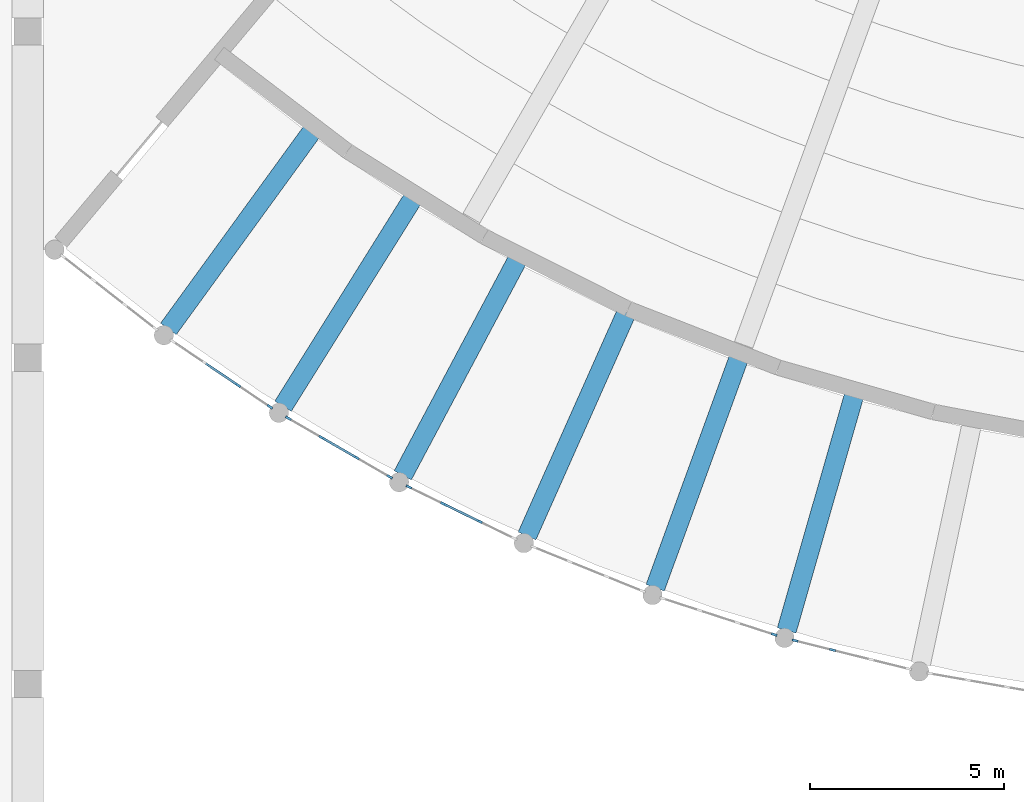
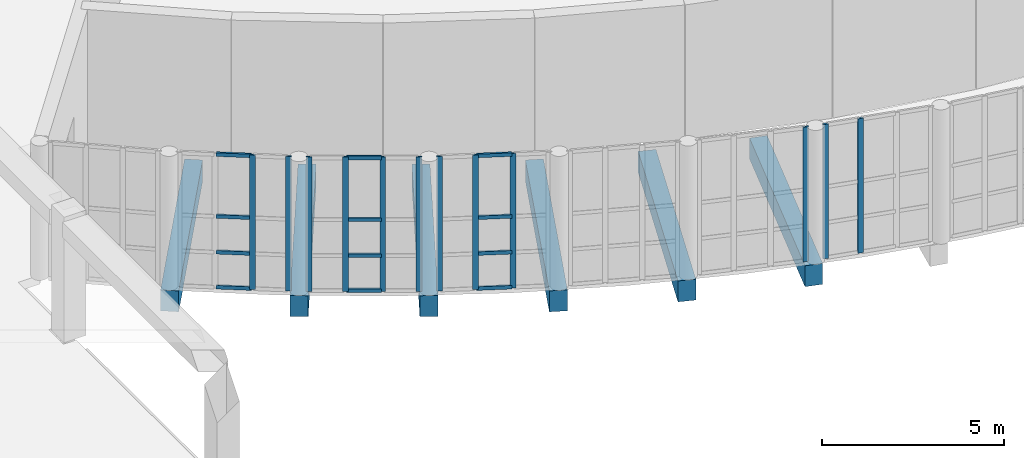
# One storey, part 39 of 162: 24 members, 6 beams, 5 elements without a shape of their own.
"""IFC4 building model written with IfcOpenShell, lengths in metres."""

from ifc_helpers import new_model, si_unit, direction, frame, origin, origin_2d, place, context, subcontext, project, spatial, rectangle, extrude, material, layer, layer_set, material_profile, profile_set, type_object, element, aggregate, save


model = new_model("IFC4")

# Units and contexts
model_context = context("Model", 3, precision=1e-05, world=origin(), true_north=direction((0.0, 1.0)))
body_context = subcontext(model_context, "Body", "Model", "MODEL_VIEW")
ifc_project = project(units=[si_unit("LENGTHUNIT", "METRE"), si_unit("AREAUNIT", "SQUARE_METRE"), si_unit("VOLUMEUNIT", "CUBIC_METRE"), si_unit("PLANEANGLEUNIT", "RADIAN"), si_unit("MASSUNIT", "GRAM", prefix="KILO")], contexts=[model_context])

# Site, building, storey
site_placement = place(None, origin())
site = spatial("IfcSite", under=ifc_project, at=site_placement, CompositionType="ELEMENT")
building_placement = place(site_placement, origin())
building = spatial("IfcBuilding", under=site, at=building_placement, Name="Rain Tree Exposition and Congress Centre", CompositionType="ELEMENT")
storey_placement = place(building_placement, frame((0.0, 0.0, 6.0)))
storey = spatial("IfcBuildingStorey", under=building, at=storey_placement, Name="L01", CompositionType="ELEMENT", Elevation=6.0)

# Curtain wall, members
ifc_material_1 = material(Name="Aluminium", Category="aluminium")
ifc_layer = layer(ifc_material_1, 0.10009765625)
ifc_layer_set = layer_set([ifc_layer], Name="Aluminium")
curtain_wall_type = type_object("IfcCurtainWallType", Name="Curtain wall congress", PredefinedType="NOTDEFINED", material=ifc_layer_set)
curtain_wall_1_placement = place(storey_placement, origin())
curtain_wall_1 = element("IfcCurtainWall", 1, at=curtain_wall_1_placement, inside=storey, type_object=curtain_wall_type, Name="Curtain wall L01 bay 2", PredefinedType="NOTDEFINED")
ifc_material_2 = material(Name="Aluminium", Category="aluminium")
ifc_material_profile_1 = material_profile(ifc_material_2, rectangle(XDim=0.06005859375, YDim=0.159912109375, at=origin_2d()), Name="AL 60x160")
ifc_profile_set_1 = profile_set([ifc_material_profile_1], Name="Aluminium")
member_type_1 = type_object("IfcMemberType", Name="Curtain wall mullion 60x160 congress", PredefinedType="MULLION", material=ifc_profile_set_1)
member_1_placement = place(storey_placement, frame((173.41162109375, 24.49267578125, 0.0), z_axis=(0.0, 0.0, 1.0), x_axis=(0.559196793659, 0.829034948577, 0.0)))
member_1 = element("IfcMember", 2, at=member_1_placement, type_object=member_type_1, Name="CWG202 mullion 3", PredefinedType="MULLION", context=body_context, shape_type="SweptSolid", body=[
    extrude(rectangle(XDim=0.06005859375, YDim=0.159912109375, at=origin_2d()), origin(), (0.0, 0.0, 1.0), 4.5),
])
member_2_placement = place(storey_placement, frame((174.236083984375, 23.9365234375, 0.0), z_axis=(0.0, 0.0, 1.0), x_axis=(0.559196793659, 0.829034948577, 0.0)))
member_2 = element("IfcMember", 3, at=member_2_placement, type_object=member_type_1, Name="CWG202 mullion 4", PredefinedType="MULLION", context=body_context, shape_type="SweptSolid", body=[
    extrude(rectangle(XDim=0.06005859375, YDim=0.159912109375, at=origin_2d()), origin(), (0.0, 0.0, 1.0), 4.5),
])

curtain_wall_2_placement = place(storey_placement, origin())
curtain_wall_2 = element("IfcCurtainWall", 4, at=curtain_wall_2_placement, inside=storey, type_object=curtain_wall_type, Name="Curtain wall L01 bay 3", PredefinedType="NOTDEFINED")
member_3_placement = place(storey_placement, frame((174.710693359375, 23.639892578125, 0.0), z_axis=(0.0, 0.0, 1.0), x_axis=(0.499988121275, 0.866032261861, 0.0)))
member_3 = element("IfcMember", 5, at=member_3_placement, type_object=member_type_1, Name="CWG203 mullion 1", PredefinedType="MULLION", context=body_context, shape_type="SweptSolid", body=[
    extrude(rectangle(XDim=0.06005859375, YDim=0.159912109375, at=origin_2d()), origin(), (0.0, 0.0, 1.0), 4.5),
])
member_4_placement = place(storey_placement, frame((175.572021484375, 23.142578125, 0.0), z_axis=(0.0, 0.0, 1.0), x_axis=(0.499988121275, 0.866032261861, 0.0)))
member_4 = element("IfcMember", 6, at=member_4_placement, type_object=member_type_1, Name="CWG203 mullion 2", PredefinedType="MULLION", context=body_context, shape_type="SweptSolid", body=[
    extrude(rectangle(XDim=0.06005859375, YDim=0.159912109375, at=origin_2d()), origin(), (0.0, 0.0, 1.0), 4.5),
])
member_5_placement = place(storey_placement, frame((176.459228515625, 22.63037109375, 0.0), z_axis=(0.0, 0.0, 1.0), x_axis=(0.499988121275, 0.866032261861, 0.0)))
member_5 = element("IfcMember", 7, at=member_5_placement, type_object=member_type_1, Name="CWG203 mullion 3", PredefinedType="MULLION", context=body_context, shape_type="SweptSolid", body=[
    extrude(rectangle(XDim=0.06005859375, YDim=0.159912109375, at=origin_2d()), origin(), (0.0, 0.0, 1.0), 4.5),
])
member_6_placement = place(storey_placement, frame((177.320556640625, 22.133056640625, 0.0), z_axis=(0.0, 0.0, 1.0), x_axis=(0.499988121275, 0.866032261861, 0.0)))
member_6 = element("IfcMember", 8, at=member_6_placement, type_object=member_type_1, Name="CWG203 mullion 4", PredefinedType="MULLION", context=body_context, shape_type="SweptSolid", body=[
    extrude(rectangle(XDim=0.06005859375, YDim=0.159912109375, at=origin_2d()), origin(), (0.0, 0.0, 1.0), 4.5),
])

curtain_wall_3_placement = place(storey_placement, origin())
curtain_wall_3 = element("IfcCurtainWall", 9, at=curtain_wall_3_placement, inside=storey, type_object=curtain_wall_type, Name="Curtain wall L01 bay 4", PredefinedType="NOTDEFINED")
member_7_placement = place(storey_placement, frame((177.814697265625, 21.870361328125, 0.0), z_axis=(0.0, 0.0, 1.0), x_axis=(0.438368505628, 0.898795334475, 0.0)))
member_7 = element("IfcMember", 10, at=member_7_placement, type_object=member_type_1, Name="CWG204 mullion 1", PredefinedType="MULLION", context=body_context, shape_type="SweptSolid", body=[
    extrude(rectangle(XDim=0.06005859375, YDim=0.159912109375, at=origin_2d()), origin(), (0.0, 0.0, 1.0), 4.5),
])
member_8_placement = place(storey_placement, frame((178.708740234375, 21.434326171875, 0.0), z_axis=(0.0, 0.0, 1.0), x_axis=(0.438368505628, 0.898795334475, 0.0)))
member_8 = element("IfcMember", 11, at=member_8_placement, type_object=member_type_1, Name="CWG204 mullion 2", PredefinedType="MULLION", context=body_context, shape_type="SweptSolid", body=[
    extrude(rectangle(XDim=0.06005859375, YDim=0.159912109375, at=origin_2d()), origin(), (0.0, 0.0, 1.0), 4.5),
])
member_9_placement = place(storey_placement, frame((179.629638671875, 20.9853515625, 0.0), z_axis=(0.0, 0.0, 1.0), x_axis=(0.438368505628, 0.898795334475, 0.0)))
member_9 = element("IfcMember", 12, at=member_9_placement, type_object=member_type_1, Name="CWG204 mullion 3", PredefinedType="MULLION", context=body_context, shape_type="SweptSolid", body=[
    extrude(rectangle(XDim=0.06005859375, YDim=0.159912109375, at=origin_2d()), origin(), (0.0, 0.0, 1.0), 4.5),
])

# Curtain wall, member
curtain_wall_4_placement = place(storey_placement, origin())
curtain_wall_4 = element("IfcCurtainWall", 13, at=curtain_wall_4_placement, inside=storey, type_object=curtain_wall_type, Name="Curtain wall L01 bay 6", PredefinedType="NOTDEFINED")
member_10_placement = place(storey_placement, frame((187.220947265625, 18.070068359375, 0.0), z_axis=(0.0, 0.0, 1.0), x_axis=(0.309005886225, 0.95106012548, 0.0)))
member_10 = element("IfcMember", 14, at=member_10_placement, type_object=member_type_1, Name="CWG206 mullion 4", PredefinedType="MULLION", context=body_context, shape_type="SweptSolid", body=[
    extrude(rectangle(XDim=0.06005859375, YDim=0.159912109375, at=origin_2d()), origin(), (0.0, 0.0, 1.0), 4.5),
])
aggregate(curtain_wall_4, [member_10])

# Curtain wall, members
curtain_wall_5_placement = place(storey_placement, origin())
curtain_wall_5 = element("IfcCurtainWall", 15, at=curtain_wall_5_placement, inside=storey, type_object=curtain_wall_type, Name="Curtain wall L01 bay 7", PredefinedType="NOTDEFINED")
member_11_placement = place(storey_placement, frame((187.759033203125, 17.91552734375, 0.0), z_axis=(0.0, 0.0, 1.0), x_axis=(0.241923171133, 0.970295408249, 0.0)))
member_11 = element("IfcMember", 16, at=member_11_placement, type_object=member_type_1, Name="CWG207 mullion 1", PredefinedType="MULLION", context=body_context, shape_type="SweptSolid", body=[
    extrude(rectangle(XDim=0.06005859375, YDim=0.159912109375, at=origin_2d()), origin(), (0.0, 0.0, 1.0), 4.5),
])
member_12_placement = place(storey_placement, frame((188.72412109375, 17.675048828125, 0.0), z_axis=(0.0, 0.0, 1.0), x_axis=(0.241923171133, 0.970295408249, 0.0)))
member_12 = element("IfcMember", 17, at=member_12_placement, type_object=member_type_1, Name="CWG207 mullion 2", PredefinedType="MULLION", context=body_context, shape_type="SweptSolid", body=[
    extrude(rectangle(XDim=0.06005859375, YDim=0.159912109375, at=origin_2d()), origin(), (0.0, 0.0, 1.0), 4.5),
])
aggregate(curtain_wall_5, [member_11, member_12])

# Member
ifc_material_3 = material(Name="Aluminium", Category="aluminium")
ifc_material_profile_2 = material_profile(ifc_material_3, rectangle(XDim=0.06005859375, YDim=0.1201171875, at=origin_2d()), Name="AL 60x120")
ifc_profile_set_2 = profile_set([ifc_material_profile_2], Name="Aluminium")
member_type_2 = type_object("IfcMemberType", Name="Curtain wall transom 60x120 congress", PredefinedType="USERDEFINED", material=ifc_profile_set_2)
member_13_placement = place(storey_placement, frame((172.5869140625, 25.048828125, 0.030029296875), z_axis=(0.829118509883, -0.559072890211, 0.0), x_axis=(0.559072890211, 0.829118509883, 0.0)))
member_13 = element("IfcMember", 18, at=member_13_placement, type_object=member_type_2, Name="CWG202 transom 2.1", ObjectType="TRANSOM", PredefinedType="USERDEFINED", context=body_context, shape_type="SweptSolid", body=[
    extrude(rectangle(XDim=0.06005859375, YDim=0.1201171875, at=origin_2d()), origin(), (0.0, 0.0, 1.0), 0.964599609375),
])

member_14_placement = place(storey_placement, frame((172.5869140625, 25.048828125, 1.199951171875), z_axis=(0.829118509883, -0.559072890211, 0.0), x_axis=(0.559072890211, 0.829118509883, 0.0)))
member_14 = element("IfcMember", 19, at=member_14_placement, type_object=member_type_2, Name="CWG202 transom 2.2", ObjectType="TRANSOM", PredefinedType="USERDEFINED", context=body_context, shape_type="SweptSolid", body=[
    extrude(rectangle(XDim=0.06005859375, YDim=0.1201171875, at=origin_2d()), origin(), (0.0, 0.0, 1.0), 0.964599609375),
])

member_15_placement = place(storey_placement, frame((172.5869140625, 25.048828125, 2.39990234375), z_axis=(0.829118509883, -0.559072890211, 0.0), x_axis=(0.559072890211, 0.829118509883, 0.0)))
member_15 = element("IfcMember", 20, at=member_15_placement, type_object=member_type_2, Name="CWG202 transom 2.3", ObjectType="TRANSOM", PredefinedType="USERDEFINED", context=body_context, shape_type="SweptSolid", body=[
    extrude(rectangle(XDim=0.06005859375, YDim=0.1201171875, at=origin_2d()), origin(), (0.0, 0.0, 1.0), 0.964599609375),
])

member_16_placement = place(storey_placement, frame((172.5869140625, 25.048828125, 4.469970703125), z_axis=(0.829118509883, -0.559072890211, 0.0), x_axis=(0.559072890211, 0.829118509883, 0.0)))
member_16 = element("IfcMember", 21, at=member_16_placement, type_object=member_type_2, Name="CWG202 transom 2.4", ObjectType="TRANSOM", PredefinedType="USERDEFINED", context=body_context, shape_type="SweptSolid", body=[
    extrude(rectangle(XDim=0.06005859375, YDim=0.1201171875, at=origin_2d()), origin(), (0.0, 0.0, 1.0), 0.964599609375),
])

aggregate(curtain_wall_1, [member_1, member_2, member_13, member_14, member_15, member_16])

member_17_placement = place(storey_placement, frame((175.597900390625, 23.127685546875, 0.030029296875), z_axis=(0.865928416946, -0.500167948519, 0.0), x_axis=(0.500167948519, 0.865928416946, 0.0)))
member_17 = element("IfcMember", 22, at=member_17_placement, type_object=member_type_2, Name="CWG203 transom 2.1", ObjectType="TRANSOM", PredefinedType="USERDEFINED", context=body_context, shape_type="SweptSolid", body=[
    extrude(rectangle(XDim=0.06005859375, YDim=0.1201171875, at=origin_2d()), origin(), (0.0, 0.0, 1.0), 0.964599609375),
])

member_18_placement = place(storey_placement, frame((175.597900390625, 23.127685546875, 1.199951171875), z_axis=(0.865928416946, -0.500167948519, 0.0), x_axis=(0.500167948519, 0.865928416946, 0.0)))
member_18 = element("IfcMember", 23, at=member_18_placement, type_object=member_type_2, Name="CWG203 transom 2.2", ObjectType="TRANSOM", PredefinedType="USERDEFINED", context=body_context, shape_type="SweptSolid", body=[
    extrude(rectangle(XDim=0.06005859375, YDim=0.1201171875, at=origin_2d()), origin(), (0.0, 0.0, 1.0), 0.964599609375),
])

member_19_placement = place(storey_placement, frame((175.597900390625, 23.127685546875, 2.39990234375), z_axis=(0.865928416946, -0.500167948519, 0.0), x_axis=(0.500167948519, 0.865928416946, 0.0)))
member_19 = element("IfcMember", 24, at=member_19_placement, type_object=member_type_2, Name="CWG203 transom 2.3", ObjectType="TRANSOM", PredefinedType="USERDEFINED", context=body_context, shape_type="SweptSolid", body=[
    extrude(rectangle(XDim=0.06005859375, YDim=0.1201171875, at=origin_2d()), origin(), (0.0, 0.0, 1.0), 0.964599609375),
])

member_20_placement = place(storey_placement, frame((175.597900390625, 23.127685546875, 4.469970703125), z_axis=(0.865928416946, -0.500167948519, 0.0), x_axis=(0.500167948519, 0.865928416946, 0.0)))
member_20 = element("IfcMember", 25, at=member_20_placement, type_object=member_type_2, Name="CWG203 transom 2.4", ObjectType="TRANSOM", PredefinedType="USERDEFINED", context=body_context, shape_type="SweptSolid", body=[
    extrude(rectangle(XDim=0.06005859375, YDim=0.1201171875, at=origin_2d()), origin(), (0.0, 0.0, 1.0), 0.964599609375),
])

aggregate(curtain_wall_2, [member_3, member_4, member_5, member_6, member_17, member_18, member_19, member_20])

member_21_placement = place(storey_placement, frame((178.735595703125, 21.421142578125, 0.030029296875), z_axis=(0.898787905279, -0.438383737523, 0.0), x_axis=(0.438383737523, 0.898787905279, 0.0)))
member_21 = element("IfcMember", 26, at=member_21_placement, type_object=member_type_2, Name="CWG204 transom 2.1", ObjectType="TRANSOM", PredefinedType="USERDEFINED", context=body_context, shape_type="SweptSolid", body=[
    extrude(rectangle(XDim=0.06005859375, YDim=0.1201171875, at=origin_2d()), origin(), (0.0, 0.0, 1.0), 0.964599609375),
])

member_22_placement = place(storey_placement, frame((178.735595703125, 21.421142578125, 1.199951171875), z_axis=(0.898787905279, -0.438383737523, 0.0), x_axis=(0.438383737523, 0.898787905279, 0.0)))
member_22 = element("IfcMember", 27, at=member_22_placement, type_object=member_type_2, Name="CWG204 transom 2.2", ObjectType="TRANSOM", PredefinedType="USERDEFINED", context=body_context, shape_type="SweptSolid", body=[
    extrude(rectangle(XDim=0.06005859375, YDim=0.1201171875, at=origin_2d()), origin(), (0.0, 0.0, 1.0), 0.964599609375),
])

member_23_placement = place(storey_placement, frame((178.735595703125, 21.421142578125, 2.39990234375), z_axis=(0.898787905279, -0.438383737523, 0.0), x_axis=(0.438383737523, 0.898787905279, 0.0)))
member_23 = element("IfcMember", 28, at=member_23_placement, type_object=member_type_2, Name="CWG204 transom 2.3", ObjectType="TRANSOM", PredefinedType="USERDEFINED", context=body_context, shape_type="SweptSolid", body=[
    extrude(rectangle(XDim=0.06005859375, YDim=0.1201171875, at=origin_2d()), origin(), (0.0, 0.0, 1.0), 0.964599609375),
])

member_24_placement = place(storey_placement, frame((178.735595703125, 21.421142578125, 4.469970703125), z_axis=(0.898787905279, -0.438383737523, 0.0), x_axis=(0.438383737523, 0.898787905279, 0.0)))
member_24 = element("IfcMember", 29, at=member_24_placement, type_object=member_type_2, Name="CWG204 transom 2.4", ObjectType="TRANSOM", PredefinedType="USERDEFINED", context=body_context, shape_type="SweptSolid", body=[
    extrude(rectangle(XDim=0.06005859375, YDim=0.1201171875, at=origin_2d()), origin(), (0.0, 0.0, 1.0), 0.964599609375),
])

aggregate(curtain_wall_3, [member_7, member_8, member_9, member_21, member_22, member_23, member_24])

# Beams
ifc_material_4 = material(Name="Precast concrete C50/60", Category="concrete")
ifc_material_profile_3 = material_profile(ifc_material_4, rectangle(XDim=0.5, YDim=0.699951171875, at=origin_2d()), Name="RC 500x700")
ifc_profile_set_3 = profile_set([ifc_material_profile_3], Name="Precast concrete C50/60")
beam_type = type_object("IfcBeamType", Name="Precast beam 500x700", PredefinedType="BEAM", material=ifc_profile_set_3)
beam_1_placement = place(storey_placement, frame((175.325927734375, 31.036865234375, -0.64990234375), z_axis=(-0.587777596848, -0.809022556326, 0.0), x_axis=(0.809022556326, -0.587777596848, 0.0)))
element("IfcBeam", 30, at=beam_1_placement, inside=storey, type_object=beam_type, Name="Promenade beam", PredefinedType="BEAM", context=body_context, shape_type="SweptSolid", body=[
    extrude(rectangle(XDim=0.5, YDim=0.699951171875, at=origin_2d()), origin(), (0.0, 0.0, 1.0), 6.2998046875),
])
beam_2_placement = place(storey_placement, frame((177.91259765625, 29.292236328125, -0.64990234375), z_axis=(-0.529901402168, -0.848059257352, 0.0), x_axis=(0.848059257352, -0.529901402168, 0.0)))
element("IfcBeam", 31, at=beam_2_placement, inside=storey, type_object=beam_type, Name="Promenade beam", PredefinedType="BEAM", context=body_context, shape_type="SweptSolid", body=[
    extrude(rectangle(XDim=0.5, YDim=0.699951171875, at=origin_2d()), origin(), (0.0, 0.0, 1.0), 6.300048828125),
])
beam_3_placement = place(storey_placement, frame((180.614501953125, 27.732177734375, -0.64990234375), z_axis=(-0.469457432878, -0.882955105719, 0.0), x_axis=(0.882955105719, -0.469457432878, 0.0)))
element("IfcBeam", 32, at=beam_3_placement, inside=storey, type_object=beam_type, Name="Promenade beam", PredefinedType="BEAM", context=body_context, shape_type="SweptSolid", body=[
    extrude(rectangle(XDim=0.5, YDim=0.699951171875, at=origin_2d()), origin(), (0.0, 0.0, 1.0), 6.2998046875),
])
for number, where, z_axis, x_axis, name in (
    (33, (183.4189453125, 26.364501953125, -0.64990234375), (-0.406742431252, -0.913542880558, 0.0), (0.913542880558, -0.406742431252, 0.0), "Promenade beam"),
    (34, (186.311767578125, 25.19580078125, -0.64990234375), (-0.342023078919, -0.939691552312, 0.0), (0.939691552312, -0.342023078919, 0.0), "Promenade beam"),
    (35, (189.279052734375, 24.231689453125, -0.64990234375), (-0.275647407431, -0.961258813627, 0.0), (0.961258813627, -0.275647407431, 0.0), "Promenade beam"),
):
    element("IfcBeam", number, at=place(storey_placement, frame(where, z_axis=z_axis, x_axis=x_axis)), inside=storey, type_object=beam_type, Name=name, PredefinedType="BEAM", context=body_context, shape_type="SweptSolid", body=[
        extrude(rectangle(XDim=0.5, YDim=0.699951171875, at=origin_2d()), origin(), (0.0, 0.0, 1.0), 6.300048828125),
    ])

save(model, "model.ifc")
